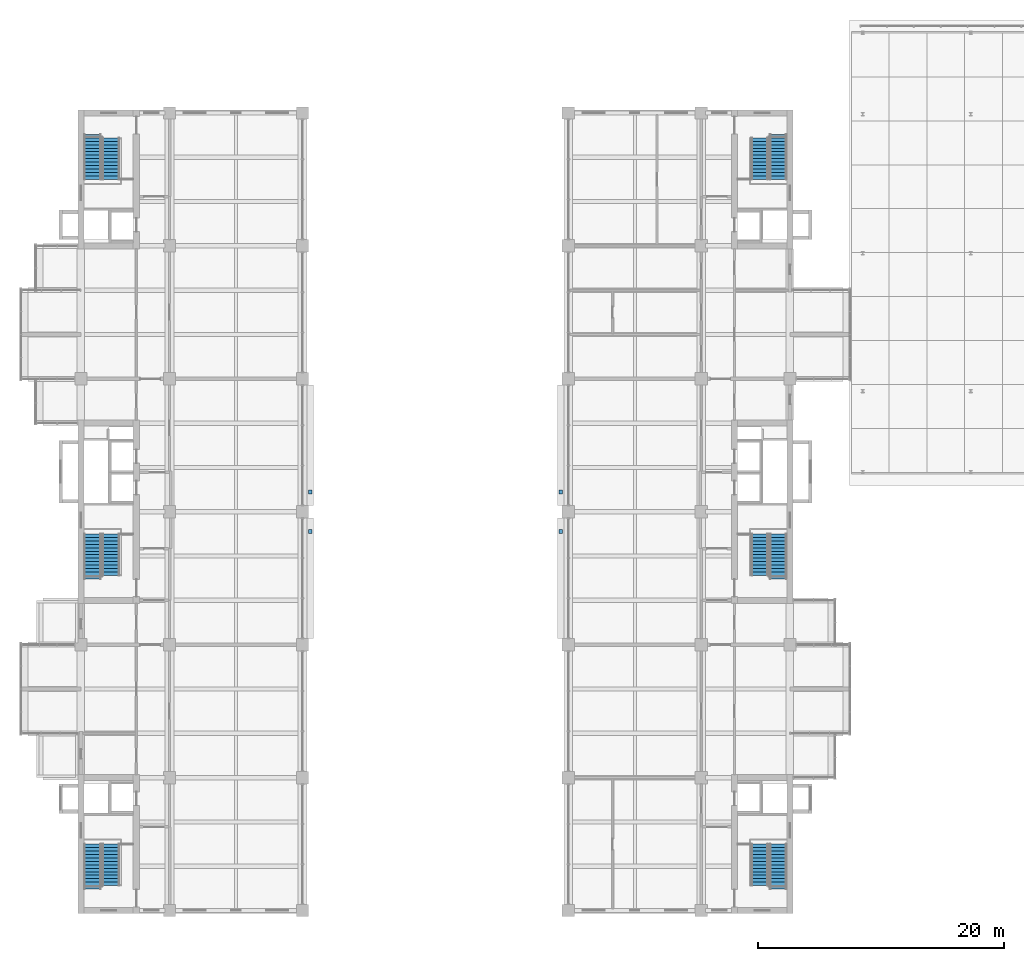
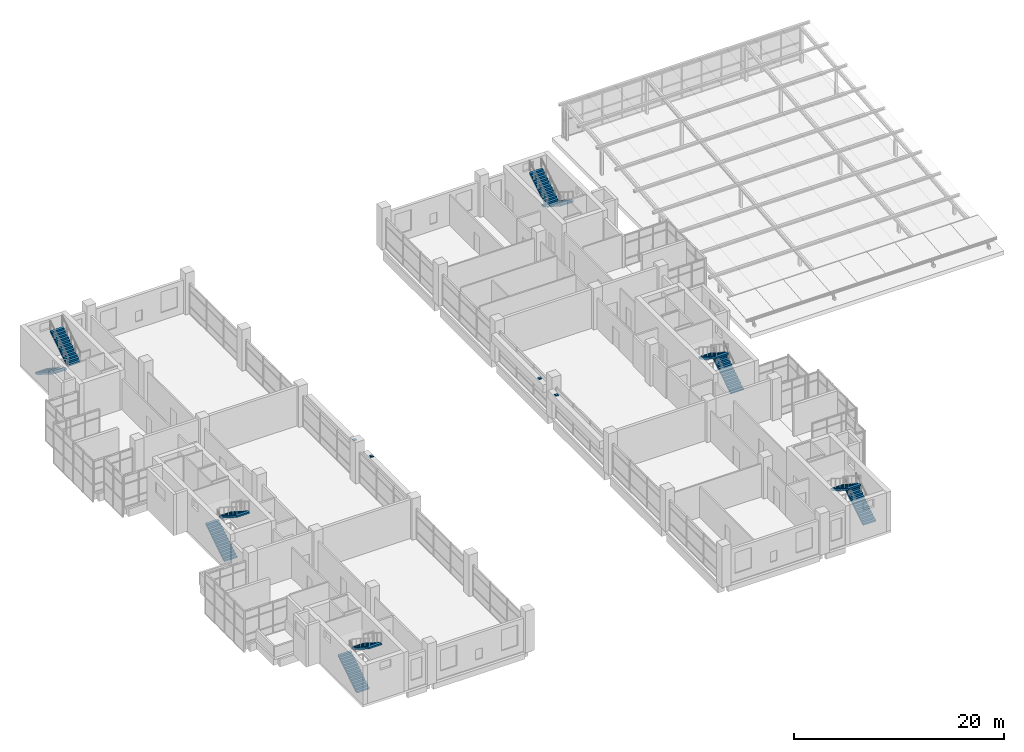
# One storey, part 42 of 44: 12 stair flights, 4 discrete accessories, 6 elements without a shape of their own.
"""IFC4 building model written with IfcOpenShell, lengths in metres."""

from ifc_helpers import new_model, si_unit, direction, frame, origin, origin_2d, place, context, subcontext, project, spatial, polyline, rectangle, outline, extrude, material, type_object, element, aggregate, save


model = new_model("IFC4")

# Units and contexts
model_context = context("Model", 3, precision=1e-05, world=origin(), true_north=direction((0.0, 1.0)))
body_context = subcontext(model_context, "Body", "Model", "MODEL_VIEW")
ifc_project = project(units=[si_unit("LENGTHUNIT", "METRE"), si_unit("AREAUNIT", "SQUARE_METRE"), si_unit("VOLUMEUNIT", "CUBIC_METRE"), si_unit("PLANEANGLEUNIT", "RADIAN"), si_unit("MASSUNIT", "GRAM", prefix="KILO")], contexts=[model_context])

# Site, building, storey
site_placement = place(None, origin())
site = spatial("IfcSite", under=ifc_project, at=site_placement, CompositionType="ELEMENT")
building_placement = place(site_placement, origin())
building = spatial("IfcBuilding", under=site, at=building_placement, Name="Basin Gate Institute", CompositionType="ELEMENT")
storey_placement = place(building_placement, frame((0.0, 0.0, 27.0)))
storey = spatial("IfcBuildingStorey", under=building, at=storey_placement, Name="L05", CompositionType="ELEMENT", Elevation=27.0)

# Stair, stair flights
ifc_material_1 = material(Name="Concrete 40 MPa", Category="concrete")
stair_type = type_object("IfcStairType", Name="Stair ST", PredefinedType="HALF_TURN_STAIR", material=ifc_material_1)
stair_1_placement = place(storey_placement, origin())
stair_1 = element("IfcStair", 1, at=stair_1_placement, inside=storey, type_object=stair_type, material=ifc_material_1, Name="Special safe stair ST-WS L05", PredefinedType="HALF_TURN_STAIR")
ifc_material_2 = material(Name="Concrete 40 MPa", Category="concrete")
stair_flight_type = type_object("IfcStairFlightType", Name="Stair flight FL", PredefinedType="STRAIGHT", material=ifc_material_2)
stair_flight_1_placement = place(storey_placement, frame((62.14990234375, 36.85009765625, 0.0), z_axis=(0.0, 0.0, 1.0), x_axis=(0.0, 1.0, 0.0)))
stair_flight_1 = element("IfcStairFlight", 2, at=stair_flight_1_placement, type_object=stair_flight_type, material=ifc_material_2, Name="Stair flight ST-WS-F1 L05", NumberOfRisers=14, NumberOfTreads=13, PredefinedType="STRAIGHT", RiserHeight=0.177777778, TreadLength=0.28, context=body_context, shape_type="SweptSolid", body=[
    extrude(outline(polyline([(0.0, 0.0), (0.0, 0.177734375), (0.280029296875, 0.177734375), (0.280029296875, 0.35546875), (0.56005859375, 0.35546875), (0.56005859375, 0.533447265625), (0.840087890625, 0.533447265625), (0.840087890625, 0.711181640625), (1.1201171875, 0.711181640625), (1.1201171875, 0.888916015625), (1.39990234375, 0.888916015625), (1.39990234375, 1.066650390625), (1.679931640625, 1.066650390625), (1.679931640625, 1.244384765625), (1.9599609375, 1.244384765625), (1.9599609375, 1.422119140625), (2.239990234375, 1.422119140625), (2.239990234375, 1.60009765625), (2.52001953125, 1.60009765625), (2.52001953125, 1.77783203125), (2.800048828125, 1.77783203125), (2.800048828125, 1.95556640625), (3.080078125, 1.95556640625), (3.080078125, 2.13330078125), (3.360107421875, 2.13330078125), (3.360107421875, 2.31103515625), (3.639892578125, 2.31103515625), (3.639892578125, 2.48876953125), (3.639892578125, 2.133544921875), (0.27978515625, 0.0), (0.0, 0.0)])), frame((0.0, 0.699951171875, 0.0), z_axis=(0.0, -1.0, 0.0), x_axis=(1.0, 0.0, 0.0)), (0.0, 0.0, 1.0), 1.39990234375),
])
stair_flight_2_placement = place(storey_placement, frame((63.64990234375, 40.489990234375, 2.48876953125), z_axis=(0.0, 0.0, 1.0), x_axis=(0.0, -1.0, 0.0)))
stair_flight_2 = element("IfcStairFlight", 3, at=stair_flight_2_placement, type_object=stair_flight_type, material=ifc_material_2, Name="Stair flight ST-WS-F2 L05", NumberOfRisers=13, NumberOfTreads=12, PredefinedType="STRAIGHT", RiserHeight=0.177777778, TreadLength=0.28, context=body_context, shape_type="SweptSolid", body=[
    extrude(outline(polyline([(0.0, 0.0), (0.0, 0.177734375), (0.280029296875, 0.177734375), (0.280029296875, 0.35546875), (0.56005859375, 0.35546875), (0.56005859375, 0.533447265625), (0.840087890625, 0.533447265625), (0.840087890625, 0.711181640625), (1.1201171875, 0.711181640625), (1.1201171875, 0.888916015625), (1.39990234375, 0.888916015625), (1.39990234375, 1.066650390625), (1.679931640625, 1.066650390625), (1.679931640625, 1.244384765625), (1.9599609375, 1.244384765625), (1.9599609375, 1.422119140625), (2.239990234375, 1.422119140625), (2.239990234375, 1.60009765625), (2.52001953125, 1.60009765625), (2.52001953125, 1.77783203125), (2.800048828125, 1.77783203125), (2.800048828125, 1.95556640625), (3.080078125, 1.95556640625), (3.080078125, 2.13330078125), (3.360107421875, 2.13330078125), (3.360107421875, 2.31103515625), (3.360107421875, 1.955810546875), (0.27978515625, 0.0), (0.0, 0.0)])), frame((0.0, 0.699951171875, 0.0), z_axis=(0.0, -1.0, 0.0), x_axis=(1.0, 0.0, 0.0)), (0.0, 0.0, 1.0), 1.39990234375),
])
aggregate(stair_1, [stair_flight_1, stair_flight_2])

stair_2_placement = place(storey_placement, origin())
stair_2 = element("IfcStair", 4, at=stair_2_placement, inside=storey, type_object=stair_type, material=ifc_material_1, Name="Special safe stair ST-WM L05", PredefinedType="HALF_TURN_STAIR")
stair_flight_3_placement = place(storey_placement, frame((62.14990234375, 62.050048828125, 0.0), z_axis=(0.0, 0.0, 1.0), x_axis=(0.0, 1.0, 0.0)))
stair_flight_3 = element("IfcStairFlight", 5, at=stair_flight_3_placement, type_object=stair_flight_type, material=ifc_material_2, Name="Stair flight ST-WM-F1 L05", NumberOfRisers=14, NumberOfTreads=13, PredefinedType="STRAIGHT", RiserHeight=0.177777778, TreadLength=0.28, context=body_context, shape_type="SweptSolid", body=[
    extrude(outline(polyline([(0.0, 0.0), (0.0, 0.177734375), (0.280029296875, 0.177734375), (0.280029296875, 0.35546875), (0.56005859375, 0.35546875), (0.56005859375, 0.533447265625), (0.840087890625, 0.533447265625), (0.840087890625, 0.711181640625), (1.1201171875, 0.711181640625), (1.1201171875, 0.888916015625), (1.39990234375, 0.888916015625), (1.39990234375, 1.066650390625), (1.679931640625, 1.066650390625), (1.679931640625, 1.244384765625), (1.9599609375, 1.244384765625), (1.9599609375, 1.422119140625), (2.239990234375, 1.422119140625), (2.239990234375, 1.60009765625), (2.52001953125, 1.60009765625), (2.52001953125, 1.77783203125), (2.800048828125, 1.77783203125), (2.800048828125, 1.95556640625), (3.080078125, 1.95556640625), (3.080078125, 2.13330078125), (3.360107421875, 2.13330078125), (3.360107421875, 2.31103515625), (3.639892578125, 2.31103515625), (3.639892578125, 2.48876953125), (3.639892578125, 2.133544921875), (0.27978515625, 0.0), (0.0, 0.0)])), frame((0.0, 0.699951171875, 0.0), z_axis=(0.0, -1.0, 0.0), x_axis=(1.0, 0.0, 0.0)), (0.0, 0.0, 1.0), 1.39990234375),
])
stair_flight_4_placement = place(storey_placement, frame((63.64990234375, 65.68994140625, 2.48876953125), z_axis=(0.0, 0.0, 1.0), x_axis=(0.0, -1.0, 0.0)))
stair_flight_4 = element("IfcStairFlight", 6, at=stair_flight_4_placement, type_object=stair_flight_type, material=ifc_material_2, Name="Stair flight ST-WM-F2 L05", NumberOfRisers=13, NumberOfTreads=12, PredefinedType="STRAIGHT", RiserHeight=0.177777778, TreadLength=0.28, context=body_context, shape_type="SweptSolid", body=[
    extrude(outline(polyline([(0.0, 0.0), (0.0, 0.177734375), (0.280029296875, 0.177734375), (0.280029296875, 0.35546875), (0.56005859375, 0.35546875), (0.56005859375, 0.533447265625), (0.840087890625, 0.533447265625), (0.840087890625, 0.711181640625), (1.1201171875, 0.711181640625), (1.1201171875, 0.888916015625), (1.39990234375, 0.888916015625), (1.39990234375, 1.066650390625), (1.679931640625, 1.066650390625), (1.679931640625, 1.244384765625), (1.9599609375, 1.244384765625), (1.9599609375, 1.422119140625), (2.239990234375, 1.422119140625), (2.239990234375, 1.60009765625), (2.52001953125, 1.60009765625), (2.52001953125, 1.77783203125), (2.800048828125, 1.77783203125), (2.800048828125, 1.95556640625), (3.080078125, 1.95556640625), (3.080078125, 2.13330078125), (3.360107421875, 2.13330078125), (3.360107421875, 2.31103515625), (3.360107421875, 1.955810546875), (0.27978515625, 0.0), (0.0, 0.0)])), frame((0.0, 0.699951171875, 0.0), z_axis=(0.0, -1.0, 0.0), x_axis=(1.0, 0.0, 0.0)), (0.0, 0.0, 1.0), 1.39990234375),
])
aggregate(stair_2, [stair_flight_3, stair_flight_4])

stair_3_placement = place(storey_placement, origin())
stair_3 = element("IfcStair", 7, at=stair_3_placement, inside=storey, type_object=stair_type, material=ifc_material_1, Name="Special safe stair ST-WN L05", PredefinedType="HALF_TURN_STAIR")
stair_flight_5_placement = place(storey_placement, frame((62.14990234375, 98.14990234375, 0.0), z_axis=(0.0, 0.0, 1.0), x_axis=(0.0, -1.0, 0.0)))
stair_flight_5 = element("IfcStairFlight", 8, at=stair_flight_5_placement, type_object=stair_flight_type, material=ifc_material_2, Name="Stair flight ST-WN-F1 L05", NumberOfRisers=14, NumberOfTreads=13, PredefinedType="STRAIGHT", RiserHeight=0.177777778, TreadLength=0.28, context=body_context, shape_type="SweptSolid", body=[
    extrude(outline(polyline([(0.0, 0.0), (0.0, 0.177734375), (0.280029296875, 0.177734375), (0.280029296875, 0.35546875), (0.56005859375, 0.35546875), (0.56005859375, 0.533447265625), (0.840087890625, 0.533447265625), (0.840087890625, 0.711181640625), (1.1201171875, 0.711181640625), (1.1201171875, 0.888916015625), (1.39990234375, 0.888916015625), (1.39990234375, 1.066650390625), (1.679931640625, 1.066650390625), (1.679931640625, 1.244384765625), (1.9599609375, 1.244384765625), (1.9599609375, 1.422119140625), (2.239990234375, 1.422119140625), (2.239990234375, 1.60009765625), (2.52001953125, 1.60009765625), (2.52001953125, 1.77783203125), (2.800048828125, 1.77783203125), (2.800048828125, 1.95556640625), (3.080078125, 1.95556640625), (3.080078125, 2.13330078125), (3.360107421875, 2.13330078125), (3.360107421875, 2.31103515625), (3.639892578125, 2.31103515625), (3.639892578125, 2.48876953125), (3.639892578125, 2.133544921875), (0.27978515625, 0.0), (0.0, 0.0)])), frame((0.0, 0.699951171875, 0.0), z_axis=(0.0, -1.0, 0.0), x_axis=(1.0, 0.0, 0.0)), (0.0, 0.0, 1.0), 1.39990234375),
])
stair_flight_6_placement = place(storey_placement, frame((63.64990234375, 94.510009765625, 2.48876953125), z_axis=(0.0, 0.0, 1.0), x_axis=(0.0, 1.0, 0.0)))
stair_flight_6 = element("IfcStairFlight", 9, at=stair_flight_6_placement, type_object=stair_flight_type, material=ifc_material_2, Name="Stair flight ST-WN-F2 L05", NumberOfRisers=13, NumberOfTreads=12, PredefinedType="STRAIGHT", RiserHeight=0.177777778, TreadLength=0.28, context=body_context, shape_type="SweptSolid", body=[
    extrude(outline(polyline([(0.0, 0.0), (0.0, 0.177734375), (0.280029296875, 0.177734375), (0.280029296875, 0.35546875), (0.56005859375, 0.35546875), (0.56005859375, 0.533447265625), (0.840087890625, 0.533447265625), (0.840087890625, 0.711181640625), (1.1201171875, 0.711181640625), (1.1201171875, 0.888916015625), (1.39990234375, 0.888916015625), (1.39990234375, 1.066650390625), (1.679931640625, 1.066650390625), (1.679931640625, 1.244384765625), (1.9599609375, 1.244384765625), (1.9599609375, 1.422119140625), (2.239990234375, 1.422119140625), (2.239990234375, 1.60009765625), (2.52001953125, 1.60009765625), (2.52001953125, 1.77783203125), (2.800048828125, 1.77783203125), (2.800048828125, 1.95556640625), (3.080078125, 1.95556640625), (3.080078125, 2.13330078125), (3.360107421875, 2.13330078125), (3.360107421875, 2.31103515625), (3.360107421875, 1.955810546875), (0.27978515625, 0.0), (0.0, 0.0)])), frame((0.0, 0.699951171875, 0.0), z_axis=(0.0, -1.0, 0.0), x_axis=(1.0, 0.0, 0.0)), (0.0, 0.0, 1.0), 1.39990234375),
])
aggregate(stair_3, [stair_flight_5, stair_flight_6])

stair_4_placement = place(storey_placement, origin())
stair_4 = element("IfcStair", 10, at=stair_4_placement, inside=storey, type_object=stair_type, material=ifc_material_1, Name="Special safe stair ST-ES L05", PredefinedType="HALF_TURN_STAIR")
stair_flight_7_placement = place(storey_placement, frame((117.85009765625, 36.85009765625, 0.0), z_axis=(0.0, 0.0, 1.0), x_axis=(0.0, 1.0, 0.0)))
stair_flight_7 = element("IfcStairFlight", 11, at=stair_flight_7_placement, type_object=stair_flight_type, material=ifc_material_2, Name="Stair flight ST-ES-F1 L05", NumberOfRisers=14, NumberOfTreads=13, PredefinedType="STRAIGHT", RiserHeight=0.177777778, TreadLength=0.28, context=body_context, shape_type="SweptSolid", body=[
    extrude(outline(polyline([(0.0, 0.0), (0.0, 0.177734375), (0.280029296875, 0.177734375), (0.280029296875, 0.35546875), (0.56005859375, 0.35546875), (0.56005859375, 0.533447265625), (0.840087890625, 0.533447265625), (0.840087890625, 0.711181640625), (1.1201171875, 0.711181640625), (1.1201171875, 0.888916015625), (1.39990234375, 0.888916015625), (1.39990234375, 1.066650390625), (1.679931640625, 1.066650390625), (1.679931640625, 1.244384765625), (1.9599609375, 1.244384765625), (1.9599609375, 1.422119140625), (2.239990234375, 1.422119140625), (2.239990234375, 1.60009765625), (2.52001953125, 1.60009765625), (2.52001953125, 1.77783203125), (2.800048828125, 1.77783203125), (2.800048828125, 1.95556640625), (3.080078125, 1.95556640625), (3.080078125, 2.13330078125), (3.360107421875, 2.13330078125), (3.360107421875, 2.31103515625), (3.639892578125, 2.31103515625), (3.639892578125, 2.48876953125), (3.639892578125, 2.133544921875), (0.27978515625, 0.0), (0.0, 0.0)])), frame((0.0, 0.699951171875, 0.0), z_axis=(0.0, -1.0, 0.0), x_axis=(1.0, 0.0, 0.0)), (0.0, 0.0, 1.0), 1.39990234375),
])
stair_flight_8_placement = place(storey_placement, frame((116.35009765625, 40.489990234375, 2.48876953125), z_axis=(0.0, 0.0, 1.0), x_axis=(0.0, -1.0, 0.0)))
stair_flight_8 = element("IfcStairFlight", 12, at=stair_flight_8_placement, type_object=stair_flight_type, material=ifc_material_2, Name="Stair flight ST-ES-F2 L05", NumberOfRisers=13, NumberOfTreads=12, PredefinedType="STRAIGHT", RiserHeight=0.177777778, TreadLength=0.28, context=body_context, shape_type="SweptSolid", body=[
    extrude(outline(polyline([(0.0, 0.0), (0.0, 0.177734375), (0.280029296875, 0.177734375), (0.280029296875, 0.35546875), (0.56005859375, 0.35546875), (0.56005859375, 0.533447265625), (0.840087890625, 0.533447265625), (0.840087890625, 0.711181640625), (1.1201171875, 0.711181640625), (1.1201171875, 0.888916015625), (1.39990234375, 0.888916015625), (1.39990234375, 1.066650390625), (1.679931640625, 1.066650390625), (1.679931640625, 1.244384765625), (1.9599609375, 1.244384765625), (1.9599609375, 1.422119140625), (2.239990234375, 1.422119140625), (2.239990234375, 1.60009765625), (2.52001953125, 1.60009765625), (2.52001953125, 1.77783203125), (2.800048828125, 1.77783203125), (2.800048828125, 1.95556640625), (3.080078125, 1.95556640625), (3.080078125, 2.13330078125), (3.360107421875, 2.13330078125), (3.360107421875, 2.31103515625), (3.360107421875, 1.955810546875), (0.27978515625, 0.0), (0.0, 0.0)])), frame((0.0, 0.699951171875, 0.0), z_axis=(0.0, -1.0, 0.0), x_axis=(1.0, 0.0, 0.0)), (0.0, 0.0, 1.0), 1.39990234375),
])
aggregate(stair_4, [stair_flight_7, stair_flight_8])

stair_5_placement = place(storey_placement, origin())
stair_5 = element("IfcStair", 13, at=stair_5_placement, inside=storey, type_object=stair_type, material=ifc_material_1, Name="Special safe stair ST-EM L05", PredefinedType="HALF_TURN_STAIR")
stair_flight_9_placement = place(storey_placement, frame((117.85009765625, 62.050048828125, 0.0), z_axis=(0.0, 0.0, 1.0), x_axis=(0.0, 1.0, 0.0)))
stair_flight_9 = element("IfcStairFlight", 14, at=stair_flight_9_placement, type_object=stair_flight_type, material=ifc_material_2, Name="Stair flight ST-EM-F1 L05", NumberOfRisers=14, NumberOfTreads=13, PredefinedType="STRAIGHT", RiserHeight=0.177777778, TreadLength=0.28, context=body_context, shape_type="SweptSolid", body=[
    extrude(outline(polyline([(0.0, 0.0), (0.0, 0.177734375), (0.280029296875, 0.177734375), (0.280029296875, 0.35546875), (0.56005859375, 0.35546875), (0.56005859375, 0.533447265625), (0.840087890625, 0.533447265625), (0.840087890625, 0.711181640625), (1.1201171875, 0.711181640625), (1.1201171875, 0.888916015625), (1.39990234375, 0.888916015625), (1.39990234375, 1.066650390625), (1.679931640625, 1.066650390625), (1.679931640625, 1.244384765625), (1.9599609375, 1.244384765625), (1.9599609375, 1.422119140625), (2.239990234375, 1.422119140625), (2.239990234375, 1.60009765625), (2.52001953125, 1.60009765625), (2.52001953125, 1.77783203125), (2.800048828125, 1.77783203125), (2.800048828125, 1.95556640625), (3.080078125, 1.95556640625), (3.080078125, 2.13330078125), (3.360107421875, 2.13330078125), (3.360107421875, 2.31103515625), (3.639892578125, 2.31103515625), (3.639892578125, 2.48876953125), (3.639892578125, 2.133544921875), (0.27978515625, 0.0), (0.0, 0.0)])), frame((0.0, 0.699951171875, 0.0), z_axis=(0.0, -1.0, 0.0), x_axis=(1.0, 0.0, 0.0)), (0.0, 0.0, 1.0), 1.39990234375),
])
stair_flight_10_placement = place(storey_placement, frame((116.35009765625, 65.68994140625, 2.48876953125), z_axis=(0.0, 0.0, 1.0), x_axis=(0.0, -1.0, 0.0)))
stair_flight_10 = element("IfcStairFlight", 15, at=stair_flight_10_placement, type_object=stair_flight_type, material=ifc_material_2, Name="Stair flight ST-EM-F2 L05", NumberOfRisers=13, NumberOfTreads=12, PredefinedType="STRAIGHT", RiserHeight=0.177777778, TreadLength=0.28, context=body_context, shape_type="SweptSolid", body=[
    extrude(outline(polyline([(0.0, 0.0), (0.0, 0.177734375), (0.280029296875, 0.177734375), (0.280029296875, 0.35546875), (0.56005859375, 0.35546875), (0.56005859375, 0.533447265625), (0.840087890625, 0.533447265625), (0.840087890625, 0.711181640625), (1.1201171875, 0.711181640625), (1.1201171875, 0.888916015625), (1.39990234375, 0.888916015625), (1.39990234375, 1.066650390625), (1.679931640625, 1.066650390625), (1.679931640625, 1.244384765625), (1.9599609375, 1.244384765625), (1.9599609375, 1.422119140625), (2.239990234375, 1.422119140625), (2.239990234375, 1.60009765625), (2.52001953125, 1.60009765625), (2.52001953125, 1.77783203125), (2.800048828125, 1.77783203125), (2.800048828125, 1.95556640625), (3.080078125, 1.95556640625), (3.080078125, 2.13330078125), (3.360107421875, 2.13330078125), (3.360107421875, 2.31103515625), (3.360107421875, 1.955810546875), (0.27978515625, 0.0), (0.0, 0.0)])), frame((0.0, 0.699951171875, 0.0), z_axis=(0.0, -1.0, 0.0), x_axis=(1.0, 0.0, 0.0)), (0.0, 0.0, 1.0), 1.39990234375),
])
aggregate(stair_5, [stair_flight_9, stair_flight_10])

stair_6_placement = place(storey_placement, origin())
stair_6 = element("IfcStair", 16, at=stair_6_placement, inside=storey, type_object=stair_type, material=ifc_material_1, Name="Special safe stair ST-EN L05", PredefinedType="HALF_TURN_STAIR")
stair_flight_11_placement = place(storey_placement, frame((117.85009765625, 98.14990234375, 0.0), z_axis=(0.0, 0.0, 1.0), x_axis=(0.0, -1.0, 0.0)))
stair_flight_11 = element("IfcStairFlight", 17, at=stair_flight_11_placement, type_object=stair_flight_type, material=ifc_material_2, Name="Stair flight ST-EN-F1 L05", NumberOfRisers=14, NumberOfTreads=13, PredefinedType="STRAIGHT", RiserHeight=0.177777778, TreadLength=0.28, context=body_context, shape_type="SweptSolid", body=[
    extrude(outline(polyline([(0.0, 0.0), (0.0, 0.177734375), (0.280029296875, 0.177734375), (0.280029296875, 0.35546875), (0.56005859375, 0.35546875), (0.56005859375, 0.533447265625), (0.840087890625, 0.533447265625), (0.840087890625, 0.711181640625), (1.1201171875, 0.711181640625), (1.1201171875, 0.888916015625), (1.39990234375, 0.888916015625), (1.39990234375, 1.066650390625), (1.679931640625, 1.066650390625), (1.679931640625, 1.244384765625), (1.9599609375, 1.244384765625), (1.9599609375, 1.422119140625), (2.239990234375, 1.422119140625), (2.239990234375, 1.60009765625), (2.52001953125, 1.60009765625), (2.52001953125, 1.77783203125), (2.800048828125, 1.77783203125), (2.800048828125, 1.95556640625), (3.080078125, 1.95556640625), (3.080078125, 2.13330078125), (3.360107421875, 2.13330078125), (3.360107421875, 2.31103515625), (3.639892578125, 2.31103515625), (3.639892578125, 2.48876953125), (3.639892578125, 2.133544921875), (0.27978515625, 0.0), (0.0, 0.0)])), frame((0.0, 0.699951171875, 0.0), z_axis=(0.0, -1.0, 0.0), x_axis=(1.0, 0.0, 0.0)), (0.0, 0.0, 1.0), 1.39990234375),
])
stair_flight_12_placement = place(storey_placement, frame((116.35009765625, 94.510009765625, 2.48876953125), z_axis=(0.0, 0.0, 1.0), x_axis=(0.0, 1.0, 0.0)))
stair_flight_12 = element("IfcStairFlight", 18, at=stair_flight_12_placement, type_object=stair_flight_type, material=ifc_material_2, Name="Stair flight ST-EN-F2 L05", NumberOfRisers=13, NumberOfTreads=12, PredefinedType="STRAIGHT", RiserHeight=0.177777778, TreadLength=0.28, context=body_context, shape_type="SweptSolid", body=[
    extrude(outline(polyline([(0.0, 0.0), (0.0, 0.177734375), (0.280029296875, 0.177734375), (0.280029296875, 0.35546875), (0.56005859375, 0.35546875), (0.56005859375, 0.533447265625), (0.840087890625, 0.533447265625), (0.840087890625, 0.711181640625), (1.1201171875, 0.711181640625), (1.1201171875, 0.888916015625), (1.39990234375, 0.888916015625), (1.39990234375, 1.066650390625), (1.679931640625, 1.066650390625), (1.679931640625, 1.244384765625), (1.9599609375, 1.244384765625), (1.9599609375, 1.422119140625), (2.239990234375, 1.422119140625), (2.239990234375, 1.60009765625), (2.52001953125, 1.60009765625), (2.52001953125, 1.77783203125), (2.800048828125, 1.77783203125), (2.800048828125, 1.95556640625), (3.080078125, 1.95556640625), (3.080078125, 2.13330078125), (3.360107421875, 2.13330078125), (3.360107421875, 2.31103515625), (3.360107421875, 1.955810546875), (0.27978515625, 0.0), (0.0, 0.0)])), frame((0.0, 0.699951171875, 0.0), z_axis=(0.0, -1.0, 0.0), x_axis=(1.0, 0.0, 0.0)), (0.0, 0.0, 1.0), 1.39990234375),
])
aggregate(stair_6, [stair_flight_11, stair_flight_12])

# Discrete accessories
ifc_material_3 = material(Name="Bearing plate on PTFE sliding surface")
discrete_accessory_type = type_object("IfcDiscreteAccessoryType", Name="Sliding bearing BR2", PredefinedType="SHOE", material=ifc_material_3)
for number, where, z_axis, x_axis, name in (
    (19, (79.820068359375, 65.89990234375, 3.47216796875), (0.0, 0.0, 1.0), (1.0, 0.0, 0.0), "Bridge girder sliding bearing L06 W1"),
    (20, (100.179931640625, 65.89990234375, 3.47216796875), (0.0, 0.0, 1.0), (1.0, 0.0, 0.0), "Bridge girder sliding bearing L06 E1"),
    (21, (79.820068359375, 69.10009765625, 3.47216796875), (0.0, 0.0, 1.0), (1.0, 0.0, 0.0), "Bridge girder sliding bearing L06 W2"),
    (22, (100.179931640625, 69.10009765625, 3.47216796875), (0.0, 0.0, 1.0), (1.0, 0.0, 0.0), "Bridge girder sliding bearing L06 E2"),
):
    element("IfcDiscreteAccessory", number, at=place(storey_placement, frame(where, z_axis=z_axis, x_axis=x_axis)), inside=storey, type_object=discrete_accessory_type, material=ifc_material_3, Name=name, PredefinedType="SHOE", context=body_context, shape_type="SweptSolid", body=[
        extrude(rectangle(XDim=0.300048828125, YDim=0.300048828125, at=origin_2d()), origin(), (0.0, 0.0, 1.0), 0.077880859375),
    ])

save(model, "model.ifc")
